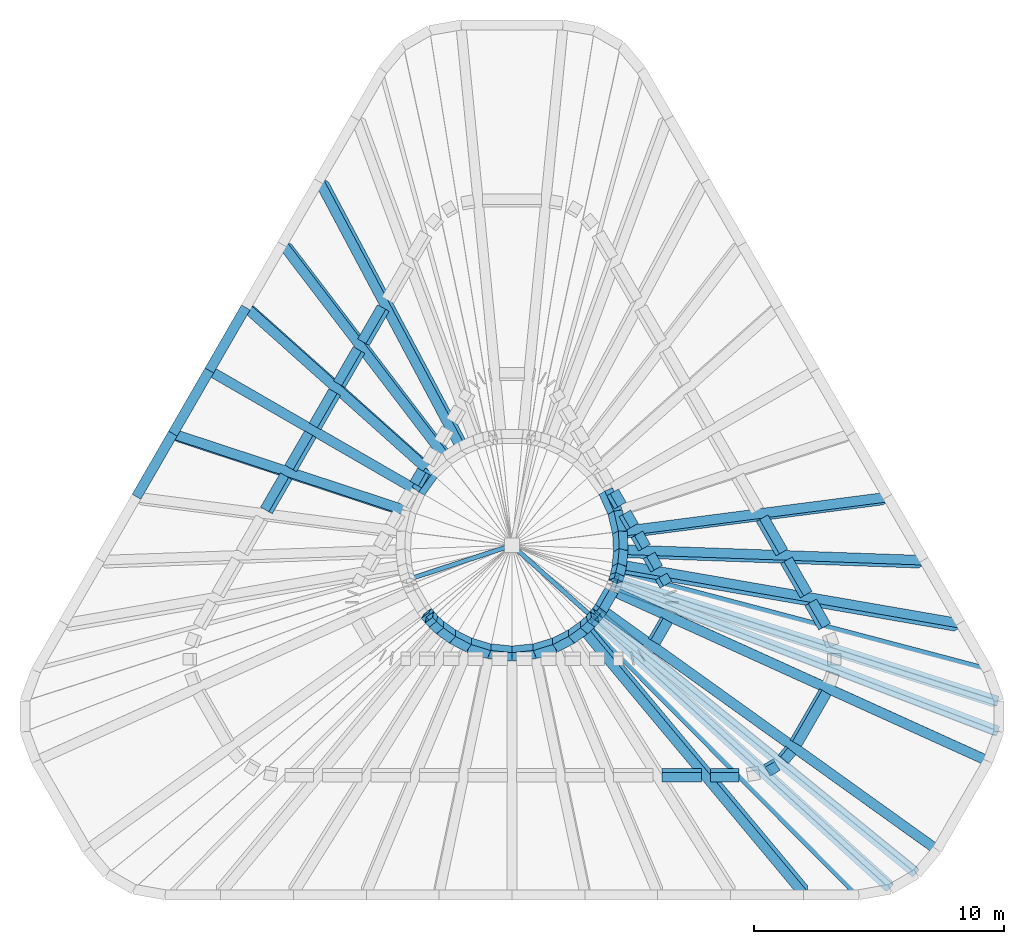
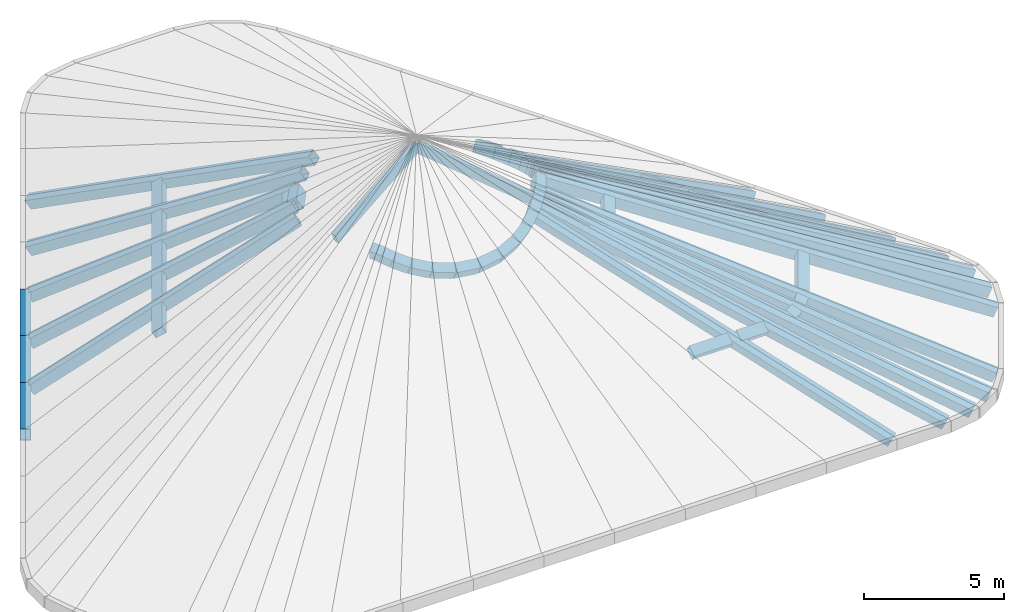
# One storey, part 2 of 5: 65 members.
"""IFC4 building model written with IfcOpenShell, lengths in metres."""

from ifc_helpers import new_model, si_unit, direction, frame, origin, origin_2d, place, context, subcontext, project, spatial, hollow_rectangle, extrude, material, material_profile, profile_set, type_object, element, save


model = new_model("IFC4")

# Units and contexts
model_context = context("Model", 3, precision=1e-05, world=origin(), true_north=direction((0.0, 1.0)))
body_context = subcontext(model_context, "Body", "Model", "MODEL_VIEW")
ifc_project = project(units=[si_unit("LENGTHUNIT", "METRE"), si_unit("AREAUNIT", "SQUARE_METRE"), si_unit("VOLUMEUNIT", "CUBIC_METRE"), si_unit("PLANEANGLEUNIT", "RADIAN"), si_unit("MASSUNIT", "GRAM", prefix="KILO")], contexts=[model_context])

# Site, building, storey
site_placement = place(None, origin())
site = spatial("IfcSite", under=ifc_project, at=site_placement, CompositionType="ELEMENT")
building_placement = place(site_placement, origin())
building = spatial("IfcBuilding", under=site, at=building_placement, Name="Apuvela Tower Hotel", CompositionType="ELEMENT")
storey_placement = place(building_placement, frame((0.0, 0.0, 371.300048828125)))
storey = spatial("IfcBuildingStorey", under=building, at=storey_placement, Name="R-7 ROOF", CompositionType="ELEMENT", Elevation=371.300048828125)

# Members
ifc_material_1 = material(Name="Steel S355, dark grey paint system", Category="steel")
ifc_material_profile_1 = material_profile(ifc_material_1, hollow_rectangle(XDim=0.39990234375, YDim=0.449951171875, WallThickness=0.01611328125, at=origin_2d()), Name="HSS 450x400x16")
ifc_profile_set_1 = profile_set([ifc_material_profile_1], Name="Steel S355, dark grey paint system")
member_type_1 = type_object("IfcMemberType", Name="ENV-CROWN-HIP-450x400", PredefinedType="RAFTER", material=ifc_profile_set_1)
member_1_placement = place(storey_placement, frame((-7.599853515625, 14.478271484375, 0.001708984375), z_axis=(0.414448932161, -0.779986735946, 0.468884606677), x_axis=(0.785517268423, 0.566761718264, 0.248482948548)))
element("IfcMember", 1, at=member_1_placement, inside=storey, type_object=member_type_1, Name="Crown frame hip 9", PredefinedType="RAFTER", context=body_context, shape_type="SweptSolid", body=[
    extrude(hollow_rectangle(XDim=0.39990234375, YDim=0.449951171875, WallThickness=0.01611328125, at=origin_2d()), origin(), (0.0, 0.0, 1.0), 13.56689453125),
])
member_2_placement = place(storey_placement, frame((-9.056396484375, 11.955810546875, 0.001708984375), z_axis=(0.525545081832, -0.68808705041, 0.500338463462), x_axis=(0.715969401207, 0.675380646835, 0.176773296672)))
element("IfcMember", 2, at=member_2_placement, inside=storey, type_object=member_type_1, Name="Crown frame hip 10", PredefinedType="RAFTER", context=body_context, shape_type="SweptSolid", body=[
    extrude(hollow_rectangle(XDim=0.39990234375, YDim=0.449951171875, WallThickness=0.01611328125, at=origin_2d()), origin(), (0.0, 0.0, 1.0), 12.291015625),
])
member_3_placement = place(storey_placement, frame((-10.5126953125, 9.43310546875, 0.001708984375), z_axis=(0.635866184858, -0.567989359232, 0.522553617109), x_axis=(0.62006934881, 0.779097264996, 0.092311723754)))
element("IfcMember", 3, at=member_3_placement, inside=storey, type_object=member_type_1, Name="Crown frame hip 11", PredefinedType="RAFTER", context=body_context, shape_type="SweptSolid", body=[
    extrude(hollow_rectangle(XDim=0.39990234375, YDim=0.449951171875, WallThickness=0.01611328125, at=origin_2d()), origin(), (0.0, 0.0, 1.0), 11.466552734375),
])
member_4_placement = place(storey_placement, frame((-11.96923828125, 6.910400390625, 0.001708984375), z_axis=(0.734029650131, -0.423791081695, 0.530661466289), x_axis=(0.499998996204, 0.866025983326, 0.0)))
element("IfcMember", 4, at=member_4_placement, inside=storey, type_object=member_type_1, Name="Crown frame hip 12", PredefinedType="RAFTER", context=body_context, shape_type="SweptSolid", body=[
    extrude(hollow_rectangle(XDim=0.39990234375, YDim=0.449951171875, WallThickness=0.01611328125, at=origin_2d()), origin(), (0.0, 0.0, 1.0), 11.18017578125),
])
member_5_placement = place(storey_placement, frame((-13.425537109375, 4.3876953125, 0.001708984375), z_axis=(0.809824541186, -0.266676807634, 0.522558793594), x_axis=(0.364679545298, 0.926545972047, -0.092311380252)))
element("IfcMember", 5, at=member_5_placement, inside=storey, type_object=member_type_1, Name="Crown frame hip 13", PredefinedType="RAFTER", context=body_context, shape_type="SweptSolid", body=[
    extrude(hollow_rectangle(XDim=0.39990234375, YDim=0.449951171875, WallThickness=0.01611328125, at=origin_2d()), origin(), (0.0, 0.0, 1.0), 11.466552734375),
])
member_6_placement = place(storey_placement, frame((11.651611328125, -13.82080078125, 0.001708984375), z_axis=(-0.57707900281, 0.692215276212, 0.433379551773), x_axis=(-0.816688327639, -0.489127662499, -0.306225905626)))
element("IfcMember", 6, at=member_6_placement, inside=storey, type_object=member_type_1, Name="Crown frame hip 33", PredefinedType="RAFTER", context=body_context, shape_type="SweptSolid", body=[
    extrude(hollow_rectangle(XDim=0.39990234375, YDim=0.449951171875, WallThickness=0.01611328125, at=origin_2d()), origin(), (0.0, 0.0, 1.0), 15.197265625),
])
member_7_placement = place(storey_placement, frame((13.86279296875, -13.822998046875, -0.014892578125), z_axis=(-0.64385926593, 0.648528743365, 0.406024278467), x_axis=(-0.764024347925, -0.573626571647, -0.295329226591)))
element("IfcMember", 7, at=member_7_placement, inside=storey, type_object=member_type_1, Name="Crown frame hip 34", PredefinedType="RAFTER", context=body_context, shape_type="SweptSolid", body=[
    extrude(hollow_rectangle(XDim=0.39990234375, YDim=0.449951171875, WallThickness=0.01611328125, at=origin_2d()), origin(), (0.0, 0.0, 1.0), 16.62646484375),
])
member_8_placement = place(storey_placement, frame((15.0791015625, -13.62548828125, -0.033447265625), z_axis=(-0.680114671533, 0.618570163856, 0.393465355467), x_axis=(-0.718765481998, -0.668269793224, -0.191811536025)))
element("IfcMember", 8, at=member_8_placement, inside=storey, type_object=member_type_1, Name="Crown frame hip 35", PredefinedType="RAFTER", context=body_context, shape_type="SweptSolid", body=[
    extrude(hollow_rectangle(XDim=0.39990234375, YDim=0.449951171875, WallThickness=0.01611328125, at=origin_2d()), origin(), (0.0, 0.0, 1.0), 17.34326171875),
])
member_9_placement = place(storey_placement, frame((16.102294921875, -13.051513671875, -0.037841796875), z_axis=(-0.715662107138, 0.58143070907, 0.386996226025), x_axis=(-0.65166341444, -0.755231372112, -0.070429886109)))
element("IfcMember", 9, at=member_9_placement, inside=storey, type_object=member_type_1, Name="Crown frame hip 36", PredefinedType="RAFTER", context=body_context, shape_type="SweptSolid", body=[
    extrude(hollow_rectangle(XDim=0.39990234375, YDim=0.449951171875, WallThickness=0.01611328125, at=origin_2d()), origin(), (0.0, 0.0, 1.0), 17.729736328125),
])
for number, where, z_axis, x_axis, name in (
    (10, (16.8994140625, -12.10693359375, -0.031982421875), (-0.749913213544, 0.537187745032, 0.386082243491), (-0.581027196846, -0.813875068637, 0.003843068519), "Crown frame hip 37"),
    (11, (18.9345703125, -8.58203125, -0.031982421875), (-0.840167545643, 0.38086607067, 0.386082285867), (-0.414340280417, -0.910113928499, -0.003843068445), "Crown frame hip 38"),
):
    element("IfcMember", number, at=place(storey_placement, frame(where, z_axis=z_axis, x_axis=x_axis)), inside=storey, type_object=member_type_1, Name=name, PredefinedType="RAFTER", context=body_context, shape_type="SweptSolid", body=[
        extrude(hollow_rectangle(XDim=0.39990234375, YDim=0.449951171875, WallThickness=0.01611328125, at=origin_2d()), origin(), (0.0, 0.0, 1.0), 17.78564453125),
    ])
member_10_placement = place(storey_placement, frame((19.35400390625, -7.419189453125, -0.037841796875), z_axis=(-0.861368802038, 0.329053265127, 0.386998366385), x_axis=(-0.328203887498, -0.941977626613, 0.070429817495)))
element("IfcMember", 12, at=member_10_placement, inside=storey, type_object=member_type_1, Name="Crown frame hip 39", PredefinedType="RAFTER", context=body_context, shape_type="SweptSolid", body=[
    extrude(hollow_rectangle(XDim=0.39990234375, YDim=0.449951171875, WallThickness=0.01611328125, at=origin_2d()), origin(), (0.0, 0.0, 1.0), 17.7294921875),
])
member_11_placement = place(storey_placement, frame((19.33984375, -6.24609375, -0.033447265625), z_axis=(-0.875758980688, 0.279705703732, 0.393460197535), x_axis=(-0.219349835439, -0.956605356274, 0.191811996602)))
element("IfcMember", 13, at=member_11_placement, inside=storey, type_object=member_type_1, Name="Crown frame hip 40", PredefinedType="RAFTER", context=body_context, shape_type="SweptSolid", body=[
    extrude(hollow_rectangle(XDim=0.39990234375, YDim=0.449951171875, WallThickness=0.01611328125, at=origin_2d()), origin(), (0.0, 0.0, 1.0), 17.343505859375),
])
member_12_placement = place(storey_placement, frame((18.902587890625, -5.09423828125, -0.014892578125), z_axis=(-0.883570824251, 0.233340933113, 0.406022914952), x_axis=(-0.114770594684, -0.948476801446, 0.295329422366)))
element("IfcMember", 14, at=member_12_placement, inside=storey, type_object=member_type_1, Name="Crown frame hip 41", PredefinedType="RAFTER", context=body_context, shape_type="SweptSolid", body=[
    extrude(hollow_rectangle(XDim=0.39990234375, YDim=0.449951171875, WallThickness=0.01611328125, at=origin_2d()), origin(), (0.0, 0.0, 1.0), 16.62646484375),
])
member_13_placement = place(storey_placement, frame((17.794921875, -3.18017578125, 0.001708984375), z_axis=(-0.888014645846, 0.153659932477, 0.433380449391), x_axis=(-0.01525526936, -0.951836677855, 0.306225758953)))
element("IfcMember", 15, at=member_13_placement, inside=storey, type_object=member_type_1, Name="Crown frame hip 42", PredefinedType="RAFTER", context=body_context, shape_type="SweptSolid", body=[
    extrude(hollow_rectangle(XDim=0.39990234375, YDim=0.449951171875, WallThickness=0.01611328125, at=origin_2d()), origin(), (0.0, 0.0, 1.0), 15.197265625),
])
member_14_placement = place(storey_placement, frame((16.33837890625, -0.657470703125, 0.001708984375), z_axis=(-0.882711067632, 0.031060085271, 0.468888517863), x_axis=(0.09808332557, -0.963657706766, 0.248482364435)))
element("IfcMember", 16, at=member_14_placement, inside=storey, type_object=member_type_1, Name="Crown frame hip 43", PredefinedType="RAFTER", context=body_context, shape_type="SweptSolid", body=[
    extrude(hollow_rectangle(XDim=0.39990234375, YDim=0.449951171875, WallThickness=0.01611328125, at=origin_2d()), origin(), (0.0, 0.0, 1.0), 13.56689453125),
])
member_15_placement = place(storey_placement, frame((14.882080078125, 1.864990234375, 0.001708984375), z_axis=(-0.858674995556, -0.111076142755, 0.500339227442), x_axis=(0.226894776845, -0.957742133192, 0.176773206536)))
element("IfcMember", 17, at=member_15_placement, inside=storey, type_object=member_type_1, Name="Crown frame hip 44", PredefinedType="RAFTER", context=body_context, shape_type="SweptSolid", body=[
    extrude(hollow_rectangle(XDim=0.39990234375, YDim=0.449951171875, WallThickness=0.01611328125, at=origin_2d()), origin(), (0.0, 0.0, 1.0), 12.291015625),
])
ifc_material_profile_2 = material_profile(ifc_material_1, hollow_rectangle(XDim=0.449951171875, YDim=0.300048828125, WallThickness=0.013916015625, at=origin_2d()), Name="HSS 450x300x14")
ifc_profile_set_2 = profile_set([ifc_material_profile_2], Name="Steel S355, dark grey paint system")
member_type_2 = type_object("IfcMemberType", Name="ENV-CROWN-PURLIN-450x300", PredefinedType="PURLIN", material=ifc_profile_set_2)
for number, where, z_axis, x_axis, name in (
    (18, (-5.146240234375, 9.490234375, 2.98193359375), (-0.499940686581, -0.866059645695, 0.0), (0.73406586881, -0.423746096788, 0.53064728936), "Crown frame purlin 1.9"),
    (19, (-6.1171875, 7.80859375, 2.98193359375), (-0.500056445075, -0.865992812752, 0.0), (0.734009221693, -0.423844212847, 0.53064728936), "Crown frame purlin 1.10"),
    (20, (-7.088134765625, 6.126708984375, 2.98193359375), (-0.500056445075, -0.865992812752, 0.0), (0.734009221693, -0.423844212847, 0.53064728936), "Crown frame purlin 1.11"),
    (21, (-8.05908203125, 4.445068359375, 2.98193359375), (-0.500056445075, -0.865992812752, 0.0), (0.734009221693, -0.423844212847, 0.53064728936), "Crown frame purlin 1.12"),
    (22, (-9.030029296875, 2.76318359375, 2.98193359375), (-0.500056445075, -0.865992812752, 0.0), (0.734009221693, -0.423844212847, 0.53064728936), "Crown frame purlin 1.13"),
    (23, (6.005859375, -9.201904296875, 2.98193359375), (1.0, 0.0, 0.0), (0.0, 0.847592740822, 0.53064728936), "Crown frame purlin 1.32"),
):
    element("IfcMember", number, at=place(storey_placement, frame(where, z_axis=z_axis, x_axis=x_axis)), inside=storey, type_object=member_type_2, Name=name, PredefinedType="PURLIN", context=body_context, shape_type="SweptSolid", body=[
        extrude(hollow_rectangle(XDim=0.449951171875, YDim=0.300048828125, WallThickness=0.013916015625, at=origin_2d()), origin(), (0.0, 0.0, 1.0), 1.581787109375),
    ])
member_16_placement = place(storey_placement, frame((7.94775390625, -9.201904296875, 2.98193359375), z_axis=(1.0, 0.0, 0.0), x_axis=(0.0, 0.847592740822, 0.53064728936)))
element("IfcMember", 24, at=member_16_placement, inside=storey, type_object=member_type_2, Name="Crown frame purlin 1.33", PredefinedType="PURLIN", context=body_context, shape_type="SweptSolid", body=[
    extrude(hollow_rectangle(XDim=0.449951171875, YDim=0.300048828125, WallThickness=0.013916015625, at=origin_2d()), origin(), (0.0, 0.0, 1.0), 1.12255859375),
])
member_17_placement = place(storey_placement, frame((10.193359375, -9.00146484375, 2.963134765625), z_axis=(0.865979171045, 0.500080068905, 0.0), x_axis=(-0.456155628092, 0.78991604994, 0.409822738519)))
element("IfcMember", 25, at=member_17_placement, inside=storey, type_object=member_type_2, Name="Crown frame purlin 1.35", PredefinedType="PURLIN", context=body_context, shape_type="SweptSolid", body=[
    extrude(hollow_rectangle(XDim=0.449951171875, YDim=0.300048828125, WallThickness=0.013916015625, at=origin_2d()), origin(), (0.0, 0.0, 1.0), 0.453125),
])
member_18_placement = place(storey_placement, frame((10.836669921875, -8.570556640625, 2.960205078125), z_axis=(0.642555132876, 0.766239454228, 0.0), x_axis=(-0.706520705355, 0.59247602457, 0.387040893465)))
element("IfcMember", 26, at=member_18_placement, inside=storey, type_object=member_type_2, Name="Crown frame purlin 1.36", PredefinedType="PURLIN", context=body_context, shape_type="SweptSolid", body=[
    extrude(hollow_rectangle(XDim=0.449951171875, YDim=0.300048828125, WallThickness=0.013916015625, at=origin_2d()), origin(), (0.0, 0.0, 1.0), 0.485595703125),
])
member_19_placement = place(storey_placement, frame((11.345703125, -7.9169921875, 2.96044921875), z_axis=(0.50004387232, 0.866000072607, 0.0), x_axis=(-0.798281418168, 0.460941914635, 0.387658778747)))
element("IfcMember", 27, at=member_19_placement, inside=storey, type_object=member_type_2, Name="Crown frame purlin 1.37", PredefinedType="PURLIN", context=body_context, shape_type="SweptSolid", body=[
    extrude(hollow_rectangle(XDim=0.449951171875, YDim=0.300048828125, WallThickness=0.013916015625, at=origin_2d()), origin(), (0.0, 0.0, 1.0), 2.366943359375),
])
member_20_placement = place(storey_placement, frame((12.50439453125, -3.25439453125, 2.98193359375), z_axis=(-0.500067487669, 0.865986436254, 0.0), x_axis=(-0.73400381702, -0.423853572469, 0.53064728936)))
element("IfcMember", 28, at=member_20_placement, inside=storey, type_object=member_type_2, Name="Crown frame purlin 1.41", PredefinedType="PURLIN", context=body_context, shape_type="SweptSolid", body=[
    extrude(hollow_rectangle(XDim=0.449951171875, YDim=0.300048828125, WallThickness=0.013916015625, at=origin_2d()), origin(), (0.0, 0.0, 1.0), 1.122802734375),
])
for number, where, z_axis, x_axis, name in (
    (29, (11.762939453125, -1.97021484375, 2.98193359375), (-0.499989616998, 0.866031398331, 0.0), (-0.734041926549, -0.423787569854, 0.53064728936), "Crown frame purlin 1.42"),
    (30, (10.7919921875, -0.28857421875, 2.98193359375), (-0.499989616998, 0.866031398331, 0.0), (-0.734041926549, -0.423787569854, 0.53064728936), "Crown frame purlin 1.43"),
):
    element("IfcMember", number, at=place(storey_placement, frame(where, z_axis=z_axis, x_axis=x_axis)), inside=storey, type_object=member_type_2, Name=name, PredefinedType="PURLIN", context=body_context, shape_type="SweptSolid", body=[
        extrude(hollow_rectangle(XDim=0.449951171875, YDim=0.300048828125, WallThickness=0.013916015625, at=origin_2d()), origin(), (0.0, 0.0, 1.0), 1.58203125),
    ])
member_21_placement = place(storey_placement, frame((-3.5390625, 2.95654296875, 5.898681640625), z_axis=(-0.499964620392, -0.866045829247, 0.0), x_axis=(0.73405415809, -0.423766382912, 0.53064728936)))
element("IfcMember", 31, at=member_21_placement, inside=storey, type_object=member_type_2, Name="Crown frame purlin 2.11", PredefinedType="PURLIN", context=body_context, shape_type="SweptSolid", body=[
    extrude(hollow_rectangle(XDim=0.449951171875, YDim=0.300048828125, WallThickness=0.013916015625, at=origin_2d()), origin(), (0.0, 0.0, 1.0), 0.61083984375),
])
member_22_placement = place(storey_placement, frame((5.680419921875, -3.85888671875, 5.876953125), z_axis=(0.499933044277, 0.866064057238, 0.0), x_axis=(-0.79834039939, 0.460839753019, 0.387658778747)))
element("IfcMember", 32, at=member_22_placement, inside=storey, type_object=member_type_2, Name="Crown frame purlin 2.37", PredefinedType="PURLIN", context=body_context, shape_type="SweptSolid", body=[
    extrude(hollow_rectangle(XDim=0.449951171875, YDim=0.300048828125, WallThickness=0.013916015625, at=origin_2d()), origin(), (0.0, 0.0, 1.0), 1.003662109375),
])
member_23_placement = place(storey_placement, frame((6.156982421875, -1.578125, 5.898681640625), z_axis=(-0.499925626596, 0.866068339032, 0.0), x_axis=(-0.734073237219, -0.423733332053, 0.53064728936)))
element("IfcMember", 33, at=member_23_placement, inside=storey, type_object=member_type_2, Name="Crown frame purlin 2.41", PredefinedType="PURLIN", context=body_context, shape_type="SweptSolid", body=[
    extrude(hollow_rectangle(XDim=0.449951171875, YDim=0.300048828125, WallThickness=0.013916015625, at=origin_2d()), origin(), (0.0, 0.0, 1.0), 0.38134765625),
])
for number, where, z_axis, x_axis, name in (
    (34, (5.786376953125, -0.93603515625, 5.898681640625), (-0.499964620392, 0.866045829247, 0.0), (-0.73405415809, -0.423766382912, 0.53064728936), "Crown frame purlin 2.42"),
    (35, (5.30078125, -0.09521484375, 5.898681640625), (-0.499664777424, 0.866218858142, 0.0), (-0.734200816125, -0.423512238189, 0.53064728936), "Crown frame purlin 2.43"),
):
    element("IfcMember", number, at=place(storey_placement, frame(where, z_axis=z_axis, x_axis=x_axis)), inside=storey, type_object=member_type_2, Name=name, PredefinedType="PURLIN", context=body_context, shape_type="SweptSolid", body=[
        extrude(hollow_rectangle(XDim=0.449951171875, YDim=0.300048828125, WallThickness=0.013916015625, at=origin_2d()), origin(), (0.0, 0.0, 1.0), 0.61083984375),
    ])
for number, where, z_axis, x_axis, name in (
    (36, (4.8154296875, 0.74560546875, 5.898681640625), (-0.499791624077, 0.866145676259, 0.0), (-0.734138787692, -0.423619752492, 0.53064728936), "Crown frame purlin 2.44"),
    (37, (4.330078125, 1.586669921875, 5.898681640625), (-0.500264283676, 0.865872765756, 0.0), (-0.733907470731, -0.424020375337, 0.53064728936), "Crown frame purlin 2.45"),
):
    element("IfcMember", number, at=place(storey_placement, frame(where, z_axis=z_axis, x_axis=x_axis)), inside=storey, type_object=member_type_2, Name=name, PredefinedType="PURLIN", context=body_context, shape_type="SweptSolid", body=[
        extrude(hollow_rectangle(XDim=0.449951171875, YDim=0.300048828125, WallThickness=0.013916015625, at=origin_2d()), origin(), (0.0, 0.0, 1.0), 0.611083984375),
    ])
ifc_material_2 = material(Name="Steel S355, black paint system", Category="steel")
ifc_material_profile_3 = material_profile(ifc_material_2, hollow_rectangle(XDim=0.39990234375, YDim=0.5, WallThickness=0.01611328125, at=origin_2d()), Name="HSS 500x400x16")
ifc_profile_set_3 = profile_set([ifc_material_profile_3], Name="Steel S355, black paint system")
member_type_3 = type_object("IfcMemberType", Name="ENV-CROWN-RING-500x400", PredefinedType="STRINGER", material=ifc_profile_set_3)
for number, where, z_axis, x_axis, name in (
    (38, (-10.647216796875, 9.5107421875, 0.0), (-0.500015065024, -0.866016705814, 0.0), (0.866016705814, -0.500015065024, 0.0), "Crown frame ring beam 7.11"),
    (39, (-12.103759765625, 6.988037109375, 0.0), (-0.500015065024, -0.866016705814, 0.0), (0.866016705814, -0.500015065024, 0.0), "Crown frame ring beam 7.12"),
):
    element("IfcMember", number, at=place(storey_placement, frame(where, z_axis=z_axis, x_axis=x_axis)), inside=storey, type_object=member_type_3, Name=name, PredefinedType="STRINGER", context=body_context, shape_type="SweptSolid", body=[
        extrude(hollow_rectangle(XDim=0.39990234375, YDim=0.5, WallThickness=0.01611328125, at=origin_2d()), origin(), (0.0, 0.0, 1.0), 2.9130859375),
    ])
member_24_placement = place(storey_placement, frame((-13.560302734375, 4.46533203125, 0.0), z_axis=(-0.499988496788, -0.866032045065, 0.0), x_axis=(0.866032045065, -0.499988496788, 0.0)))
element("IfcMember", 40, at=member_24_placement, inside=storey, type_object=member_type_3, Name="Crown frame ring beam 7.13", PredefinedType="STRINGER", context=body_context, shape_type="SweptSolid", body=[
    extrude(hollow_rectangle(XDim=0.39990234375, YDim=0.5, WallThickness=0.01611328125, at=origin_2d()), origin(), (0.0, 0.0, 1.0), 2.91259765625),
])
member_25_placement = place(storey_placement, frame((-3.2099609375, 2.91357421875, 5.97265625), z_axis=(-0.585123242698, -0.808404371847, -0.064133941351), x_axis=(0.668175597154, -0.525415858478, 0.526763274183)))
element("IfcMember", 41, at=member_25_placement, inside=storey, type_object=member_type_3, Name="Crown apex ring beam 11", PredefinedType="STRINGER", context=body_context, shape_type="SweptSolid", body=[
    extrude(hollow_rectangle(XDim=0.39990234375, YDim=0.5, WallThickness=0.01611328125, at=origin_2d()), origin(), (0.0, 0.0, 1.0), 0.925048828125),
])
member_26_placement = place(storey_placement, frame((-3.426513671875, -2.722900390625, 6.816650390625), z_axis=(0.645052816939, -0.749994245367, -0.146340340559), x_axis=(0.736062048045, 0.55841602821, 0.382601882989)))
element("IfcMember", 42, at=member_26_placement, inside=storey, type_object=member_type_3, Name="Crown apex ring beam 22", PredefinedType="STRINGER", context=body_context, shape_type="SweptSolid", body=[
    extrude(hollow_rectangle(XDim=0.39990234375, YDim=0.5, WallThickness=0.01611328125, at=origin_2d()), origin(), (0.0, 0.0, 1.0), 0.253662109375),
])
member_27_placement = place(storey_placement, frame((-3.302490234375, -2.877685546875, 6.792236328125), z_axis=(0.65845549086, -0.687878001238, -0.305385366331), x_axis=(0.748118371637, 0.553902938874, 0.365390799455)))
element("IfcMember", 43, at=member_27_placement, inside=storey, type_object=member_type_3, Name="Crown apex ring beam 23", PredefinedType="STRINGER", context=body_context, shape_type="SweptSolid", body=[
    extrude(hollow_rectangle(XDim=0.39990234375, YDim=0.5, WallThickness=0.01611328125, at=origin_2d()), origin(), (0.0, 0.0, 1.0), 0.24072265625),
])
member_28_placement = place(storey_placement, frame((-3.17041015625, -3.02490234375, 6.731201171875), z_axis=(0.681451839022, -0.620391910927, -0.388248976754), x_axis=(0.731862946371, 0.577559517775, 0.361665081473)))
element("IfcMember", 44, at=member_28_placement, inside=storey, type_object=member_type_3, Name="Crown apex ring beam 24", PredefinedType="STRINGER", context=body_context, shape_type="SweptSolid", body=[
    extrude(hollow_rectangle(XDim=0.39990234375, YDim=0.5, WallThickness=0.01611328125, at=origin_2d()), origin(), (0.0, 0.0, 1.0), 0.423828125),
])
member_29_placement = place(storey_placement, frame((-2.881591796875, -3.287841796875, 6.566650390625), z_axis=(0.760240088356, -0.550621944841, -0.34474698246), x_axis=(0.649642215072, 0.644379555424, 0.403410437332)))
element("IfcMember", 45, at=member_29_placement, inside=storey, type_object=member_type_3, Name="Crown apex ring beam 25", PredefinedType="STRINGER", context=body_context, shape_type="SweptSolid", body=[
    extrude(hollow_rectangle(XDim=0.39990234375, YDim=0.5, WallThickness=0.01611328125, at=origin_2d()), origin(), (0.0, 0.0, 1.0), 0.65234375),
])
member_30_placement = place(storey_placement, frame((-2.3857421875, -3.64697265625, 6.341796875), z_axis=(0.853818718451, -0.441245867558, -0.2762167272), x_axis=(0.520570450833, 0.723671182381, 0.453107520916)))
element("IfcMember", 46, at=member_30_placement, inside=storey, type_object=member_type_3, Name="Crown apex ring beam 26", PredefinedType="STRINGER", context=body_context, shape_type="SweptSolid", body=[
    extrude(hollow_rectangle(XDim=0.39990234375, YDim=0.5, WallThickness=0.01611328125, at=origin_2d()), origin(), (0.0, 0.0, 1.0), 0.766357421875),
])
member_31_placement = place(storey_placement, frame((-1.7314453125, -3.985107421875, 6.130126953125), z_axis=(0.939352203474, -0.290745158145, -0.181891975755), x_axis=(0.342953972366, 0.796192270882, 0.498458063057)))
element("IfcMember", 47, at=member_31_placement, inside=storey, type_object=member_type_3, Name="Crown apex ring beam 27", PredefinedType="STRINGER", context=body_context, shape_type="SweptSolid", body=[
    extrude(hollow_rectangle(XDim=0.39990234375, YDim=0.5, WallThickness=0.01611328125, at=origin_2d()), origin(), (0.0, 0.0, 1.0), 0.86572265625),
])
for number, where, z_axis, x_axis, name in (
    (48, (-0.918212890625, -4.23681640625, 5.97265625), (0.992699459196, -0.102146953126, -0.064138784521), (0.120614087742, 0.841411235904, 0.526763109883), "Crown apex ring beam 28"),
    (49, (0.0, -4.331298828125, 5.913330078125), (0.992699459196, 0.102146953126, 0.064138784521), (-0.120614087742, 0.841411235904, 0.526763109883), "Crown apex ring beam 29"),
):
    element("IfcMember", number, at=place(storey_placement, frame(where, z_axis=z_axis, x_axis=x_axis)), inside=storey, type_object=member_type_3, Name=name, PredefinedType="STRINGER", context=body_context, shape_type="SweptSolid", body=[
        extrude(hollow_rectangle(XDim=0.39990234375, YDim=0.5, WallThickness=0.01611328125, at=origin_2d()), origin(), (0.0, 0.0, 1.0), 0.925048828125),
    ])
member_32_placement = place(storey_placement, frame((0.918212890625, -4.23681640625, 5.97265625), z_axis=(0.939352203474, 0.290745158145, 0.181891975755), x_axis=(-0.342953972366, 0.796192270882, 0.498458063057)))
element("IfcMember", 50, at=member_32_placement, inside=storey, type_object=member_type_3, Name="Crown apex ring beam 30", PredefinedType="STRINGER", context=body_context, shape_type="SweptSolid", body=[
    extrude(hollow_rectangle(XDim=0.39990234375, YDim=0.5, WallThickness=0.01611328125, at=origin_2d()), origin(), (0.0, 0.0, 1.0), 0.86572265625),
])
member_33_placement = place(storey_placement, frame((1.7314453125, -3.985107421875, 6.130126953125), z_axis=(0.853818718451, 0.441245867558, 0.2762167272), x_axis=(-0.520570450833, 0.723671182381, 0.453107520916)))
element("IfcMember", 51, at=member_33_placement, inside=storey, type_object=member_type_3, Name="Crown apex ring beam 31", PredefinedType="STRINGER", context=body_context, shape_type="SweptSolid", body=[
    extrude(hollow_rectangle(XDim=0.39990234375, YDim=0.5, WallThickness=0.01611328125, at=origin_2d()), origin(), (0.0, 0.0, 1.0), 0.766357421875),
])
member_34_placement = place(storey_placement, frame((2.3857421875, -3.64697265625, 6.341796875), z_axis=(0.760240088356, 0.550621944841, 0.34474698246), x_axis=(-0.649642215072, 0.644379555424, 0.403410437332)))
element("IfcMember", 52, at=member_34_placement, inside=storey, type_object=member_type_3, Name="Crown apex ring beam 32", PredefinedType="STRINGER", context=body_context, shape_type="SweptSolid", body=[
    extrude(hollow_rectangle(XDim=0.39990234375, YDim=0.5, WallThickness=0.01611328125, at=origin_2d()), origin(), (0.0, 0.0, 1.0), 0.65234375),
])
member_35_placement = place(storey_placement, frame((2.881591796875, -3.287841796875, 6.566650390625), z_axis=(0.681451839022, 0.620391910927, 0.388248976754), x_axis=(-0.731862946371, 0.577559517775, 0.361665081473)))
element("IfcMember", 53, at=member_35_placement, inside=storey, type_object=member_type_3, Name="Crown apex ring beam 33", PredefinedType="STRINGER", context=body_context, shape_type="SweptSolid", body=[
    extrude(hollow_rectangle(XDim=0.39990234375, YDim=0.5, WallThickness=0.01611328125, at=origin_2d()), origin(), (0.0, 0.0, 1.0), 0.423828125),
])
member_36_placement = place(storey_placement, frame((3.14404296875, -3.043212890625, 6.71875), z_axis=(0.65845549086, 0.687878001238, 0.305385366331), x_axis=(-0.748118371637, 0.553902938874, 0.365390799455)))
element("IfcMember", 54, at=member_36_placement, inside=storey, type_object=member_type_3, Name="Crown apex ring beam 34", PredefinedType="STRINGER", context=body_context, shape_type="SweptSolid", body=[
    extrude(hollow_rectangle(XDim=0.39990234375, YDim=0.5, WallThickness=0.01611328125, at=origin_2d()), origin(), (0.0, 0.0, 1.0), 0.24072265625),
])
member_37_placement = place(storey_placement, frame((3.262939453125, -2.9130859375, 6.779541015625), z_axis=(0.645052816939, 0.749994245367, 0.146340340559), x_axis=(-0.736062048045, 0.55841602821, 0.382601882989)))
element("IfcMember", 55, at=member_37_placement, inside=storey, type_object=member_type_3, Name="Crown apex ring beam 35", PredefinedType="STRINGER", context=body_context, shape_type="SweptSolid", body=[
    extrude(hollow_rectangle(XDim=0.39990234375, YDim=0.5, WallThickness=0.01611328125, at=origin_2d()), origin(), (0.0, 0.0, 1.0), 0.253662109375),
])
member_38_placement = place(storey_placement, frame((3.396484375, -2.757080078125, 6.812744140625), z_axis=(0.606437365104, 0.79488844616, 0.019648927883), x_axis=(-0.737824226074, 0.553346620024, 0.386552621936)))
element("IfcMember", 56, at=member_38_placement, inside=storey, type_object=member_type_3, Name="Crown apex ring beam 36", PredefinedType="STRINGER", context=body_context, shape_type="SweptSolid", body=[
    extrude(hollow_rectangle(XDim=0.39990234375, YDim=0.5, WallThickness=0.01611328125, at=origin_2d()), origin(), (0.0, 0.0, 1.0), 0.2734375),
])
member_39_placement = place(storey_placement, frame((3.549560546875, -2.5576171875, 6.818115234375), z_axis=(0.50019444547, 0.865913111531, 0.0), x_axis=(-0.798201257192, 0.461080713408, 0.387658778747)))
element("IfcMember", 57, at=member_39_placement, inside=storey, type_object=member_type_3, Name="Crown apex ring beam 37", PredefinedType="STRINGER", context=body_context, shape_type="SweptSolid", body=[
    extrude(hollow_rectangle(XDim=0.39990234375, YDim=0.5, WallThickness=0.01611328125, at=origin_2d()), origin(), (0.0, 0.0, 1.0), 0.880615234375),
])
member_40_placement = place(storey_placement, frame((4.143310546875, -1.42138671875, 6.792236328125), z_axis=(0.266572827021, 0.914253574041, -0.305089052978), x_axis=(-0.853763050632, 0.370879471174, 0.365427244793)))
element("IfcMember", 58, at=member_40_placement, inside=storey, type_object=member_type_3, Name="Crown apex ring beam 40", PredefinedType="STRINGER", context=body_context, shape_type="SweptSolid", body=[
    extrude(hollow_rectangle(XDim=0.39990234375, YDim=0.5, WallThickness=0.01611328125, at=origin_2d()), origin(), (0.0, 0.0, 1.0), 0.240966796875),
])
member_41_placement = place(storey_placement, frame((4.204833984375, -1.2333984375, 6.731201171875), z_axis=(0.196332275684, 0.900479997565, -0.388058515575), x_axis=(-0.866218270961, 0.344733960271, 0.361696563005)))
element("IfcMember", 59, at=member_41_placement, inside=storey, type_object=member_type_3, Name="Crown apex ring beam 41", PredefinedType="STRINGER", context=body_context, shape_type="SweptSolid", body=[
    extrude(hollow_rectangle(XDim=0.39990234375, YDim=0.5, WallThickness=0.01611328125, at=origin_2d()), origin(), (0.0, 0.0, 1.0), 0.424072265625),
])
member_42_placement = place(storey_placement, frame((4.2880859375, -0.8515625, 6.566650390625), z_axis=(0.096959837781, 0.933659596238, -0.3447876857), x_axis=(-0.882809415864, 0.240650655292, 0.403404012584)))
element("IfcMember", 60, at=member_42_placement, inside=storey, type_object=member_type_3, Name="Crown apex ring beam 42", PredefinedType="STRINGER", context=body_context, shape_type="SweptSolid", body=[
    extrude(hollow_rectangle(XDim=0.39990234375, YDim=0.5, WallThickness=0.01611328125, at=origin_2d()), origin(), (0.0, 0.0, 1.0), 0.652099609375),
])
member_43_placement = place(storey_placement, frame((4.351318359375, -0.24267578125, 6.341796875), z_axis=(-0.04491319191, 0.960059293746, -0.276168350258), x_axis=(-0.887014136498, 0.088845690054, 0.453114075053)))
element("IfcMember", 61, at=member_43_placement, inside=storey, type_object=member_type_3, Name="Crown apex ring beam 43", PredefinedType="STRINGER", context=body_context, shape_type="SweptSolid", body=[
    extrude(hollow_rectangle(XDim=0.39990234375, YDim=0.5, WallThickness=0.01611328125, at=origin_2d()), origin(), (0.0, 0.0, 1.0), 0.766357421875),
])
member_44_placement = place(storey_placement, frame((4.31689453125, 0.4931640625, 6.130126953125), z_axis=(-0.21799697552, 0.958848275249, -0.181899158099), x_axis=(-0.860988516178, -0.101187972568, 0.498457389571)))
element("IfcMember", 62, at=member_44_placement, inside=storey, type_object=member_type_3, Name="Crown apex ring beam 44", PredefinedType="STRINGER", context=body_context, shape_type="SweptSolid", body=[
    extrude(hollow_rectangle(XDim=0.39990234375, YDim=0.5, WallThickness=0.01611328125, at=origin_2d()), origin(), (0.0, 0.0, 1.0), 0.86572265625),
])
member_45_placement = place(storey_placement, frame((4.128173828125, 1.3232421875, 5.97265625), z_axis=(-0.407554077951, 0.910925597804, -0.064142254496), x_axis=(-0.789107107567, -0.315960002025, 0.526762992159)))
element("IfcMember", 63, at=member_45_placement, inside=storey, type_object=member_type_3, Name="Crown apex ring beam 45", PredefinedType="STRINGER", context=body_context, shape_type="SweptSolid", body=[
    extrude(hollow_rectangle(XDim=0.39990234375, YDim=0.5, WallThickness=0.01611328125, at=origin_2d()), origin(), (0.0, 0.0, 1.0), 0.9248046875),
])
ifc_material_profile_4 = material_profile(ifc_material_1, hollow_rectangle(XDim=0.179931640625, YDim=0.449951171875, WallThickness=0.013916015625, at=origin_2d()), Name="HSS 450x180x14")
ifc_profile_set_4 = profile_set([ifc_material_profile_4], Name="Steel S355, dark grey paint system")
member_type_4 = type_object("IfcMemberType", Name="ENV-CROWN-STRUT-180x450", PredefinedType="BRACE", material=ifc_profile_set_4)
for number, where, z_axis, x_axis, name in (
    (64, (-4.154296875, -1.369140625, 6.779541015625), (0.881761223713, 0.290603957604, 0.371546072756), (-0.313011001237, 0.949749500187, 0.0), "Crown apex strut 2"),
    (65, (3.262939453125, -2.9130859375, 6.779541015625), (-0.692566304261, 0.618309101567, 0.371545110479), (-0.665983602818, -0.745966380461, 0.0), "Crown apex strut 3"),
):
    element("IfcMember", number, at=place(storey_placement, frame(where, z_axis=z_axis, x_axis=x_axis)), inside=storey, type_object=member_type_4, Name=name, PredefinedType="BRACE", context=body_context, shape_type="SweptSolid", body=[
        extrude(hollow_rectangle(XDim=0.179931640625, YDim=0.449951171875, WallThickness=0.013916015625, at=origin_2d()), origin(), (0.0, 0.0, 1.0), 4.71142578125),
    ])

save(model, "model.ifc")
